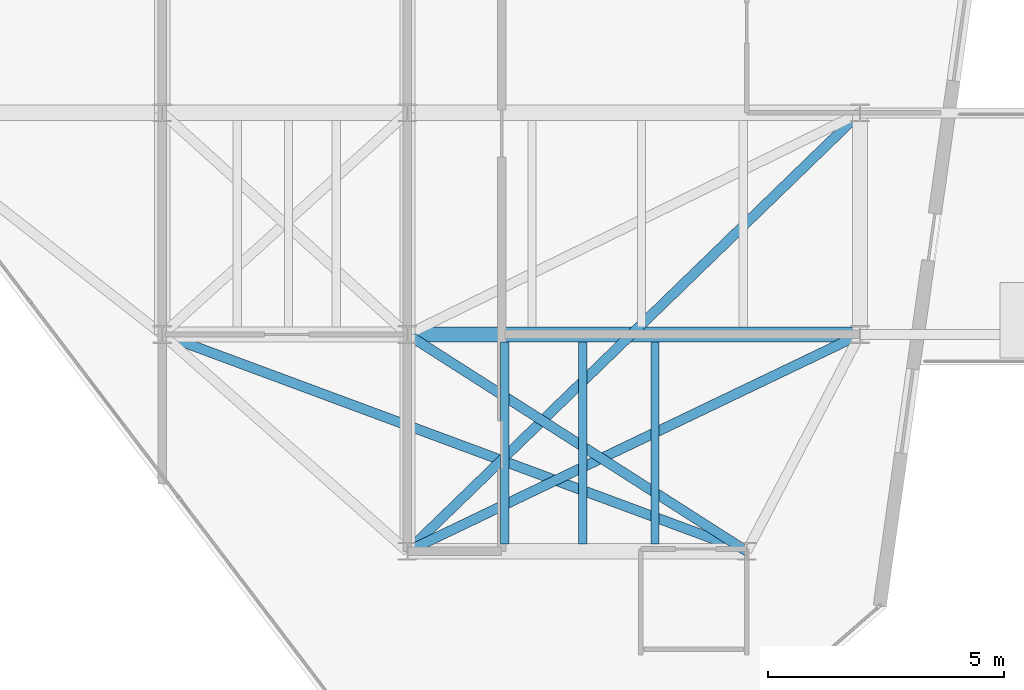
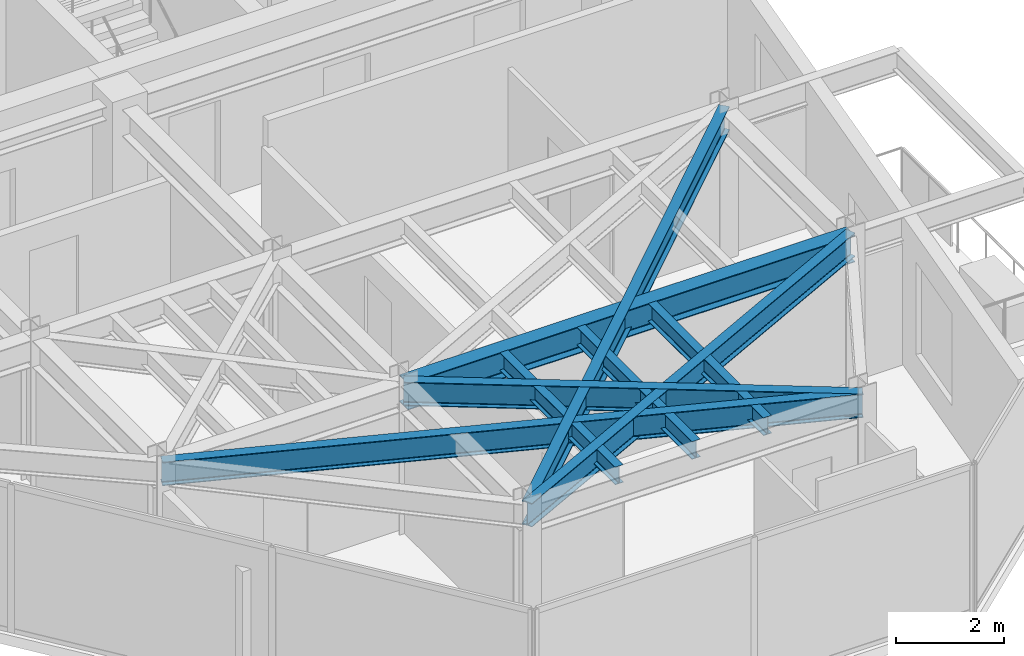
# One storey, part 7 of 17: 8 beams.
"""IFC4 building model written with IfcOpenShell, lengths in metres."""

from ifc_helpers import new_model, si_unit, direction, frame, origin, origin_2d, place, context, subcontext, project, spatial, i_section, extrude, material, material_profile, profile_set, type_object, element, save


model = new_model("IFC4")

# Units and contexts
model_context = context("Model", 3, precision=1e-05, world=origin(), true_north=direction((0.0, 1.0)))
body_context = subcontext(model_context, "Body", "Model", "MODEL_VIEW")
ifc_project = project(units=[si_unit("LENGTHUNIT", "METRE"), si_unit("AREAUNIT", "SQUARE_METRE"), si_unit("VOLUMEUNIT", "CUBIC_METRE"), si_unit("PLANEANGLEUNIT", "RADIAN"), si_unit("MASSUNIT", "GRAM", prefix="KILO")], contexts=[model_context])

# Site, building, storey
site_placement = place(None, origin())
site = spatial("IfcSite", under=ifc_project, at=site_placement, CompositionType="ELEMENT")
building_placement = place(site_placement, origin())
building = spatial("IfcBuilding", under=site, at=building_placement, Name="Kravanh Interchange Tower", CompositionType="ELEMENT")
storey_placement = place(building_placement, frame((0.0, 0.0, 285.89990234375)))
storey = spatial("IfcBuildingStorey", under=building, at=storey_placement, Name="L70", CompositionType="ELEMENT", Elevation=285.89990234375)

# Beams
ifc_material_1 = material(Name="Structural Steel S355", Category="steel")
ifc_material_profile_1 = material_profile(ifc_material_1, i_section(OverallWidth=0.323974609375, OverallDepth=0.611083984375, WebThickness=0.0126953125, FlangeThickness=0.01904296875, FilletRadius=0.02197265625, at=origin_2d()), Name="W24X104")
ifc_profile_set_1 = profile_set([ifc_material_profile_1], Name="Structural Steel S355")
beam_type_1 = type_object("IfcBeamType", Name="Floor Beam W24X104 Structural Steel S355", PredefinedType="BEAM", material=ifc_profile_set_1)
beam_1_placement = place(storey_placement, frame((56.0, 26.800048828125, 3.0595703125), z_axis=(1.0, 0.0, 0.0), x_axis=(0.0, 1.0, 0.0)))
element("IfcBeam", 1, at=beam_1_placement, inside=storey, type_object=beam_type_1, Name="L70 Primary Floor Girder 30", PredefinedType="BEAM", context=body_context, shape_type="SweptSolid", body=[
    extrude(i_section(OverallWidth=0.323974609375, OverallDepth=0.611083984375, WebThickness=0.0126953125, FlangeThickness=0.01904296875, FilletRadius=0.02197265625, at=origin_2d()), origin(), (0.0, 0.0, 1.0), 9.60009765625),
])
ifc_material_2 = material(Name="Structural Steel S355", Category="steel")
ifc_material_profile_2 = material_profile(ifc_material_2, i_section(OverallWidth=0.177978515625, OverallDepth=0.406005859375, WebThickness=0.0078125, FlangeThickness=0.0126953125, FilletRadius=0.01611328125, at=origin_2d()), Name="W16X40")
ifc_profile_set_2 = profile_set([ifc_material_profile_2], Name="Structural Steel S355")
beam_type_2 = type_object("IfcBeamType", Name="Floor Joist W16X40 Structural Steel S355", PredefinedType="JOIST", material=ifc_profile_set_2)
for number, where, z_axis, x_axis, name in (
    (2, (58.06591796875, 22.35693359375, 3.162109375), (0.0, 1.0, 0.0), (-1.0, 0.0, 0.0), "L70 Secondary Floor Joist 1"),
    (3, (59.718017578125, 22.35693359375, 3.162109375), (0.0, 1.0, 0.0), (-1.0, 0.0, 0.0), "L70 Secondary Floor Joist 2"),
    (4, (61.251953125, 22.35693359375, 3.162109375), (0.0, 1.0, 0.0), (-1.0, 0.0, 0.0), "L70 Secondary Floor Joist 3"),
):
    element("IfcBeam", number, at=place(storey_placement, frame(where, z_axis=z_axis, x_axis=x_axis)), inside=storey, type_object=beam_type_2, Name=name, PredefinedType="JOIST", context=body_context, shape_type="SweptSolid", body=[
        extrude(i_section(OverallWidth=0.177978515625, OverallDepth=0.406005859375, WebThickness=0.0078125, FlangeThickness=0.0126953125, FilletRadius=0.01611328125, at=origin_2d()), origin(), (0.0, 0.0, 1.0), 4.2861328125),
    ])
ifc_material_3 = material(Name="Structural Steel S355", Category="steel")
ifc_material_profile_3 = material_profile(ifc_material_3, i_section(OverallWidth=0.2099609375, OverallDepth=0.537109375, WebThickness=0.010986328125, FlangeThickness=0.017333984375, FilletRadius=0.02001953125, at=origin_2d()), Name="W21X68")
ifc_profile_set_3 = profile_set([ifc_material_profile_3], Name="Structural Steel S355")
beam_type_3 = type_object("IfcBeamType", Name="Floor Spandrel W21X68 Structural Steel S355", PredefinedType="SPANDREL", material=ifc_profile_set_3)
beam_2_placement = place(storey_placement, frame((65.60009765625, 31.5, 3.0966796875), z_axis=(-0.718241934329, -0.695793449072, 0.0), x_axis=(0.695793449072, -0.718241934329, 0.0)))
element("IfcBeam", 5, at=beam_2_placement, inside=storey, type_object=beam_type_3, Name="L70 Perimeter Spandrel 16", PredefinedType="SPANDREL", context=body_context, shape_type="SweptSolid", body=[
    extrude(i_section(OverallWidth=0.2099609375, OverallDepth=0.537109375, WebThickness=0.010986328125, FlangeThickness=0.017333984375, FilletRadius=0.02001953125, at=origin_2d()), origin(), (0.0, 0.0, 1.0), 13.3662109375),
])
beam_3_placement = place(storey_placement, frame((50.800048828125, 26.800048828125, 3.0966796875), z_axis=(0.937562917338, -0.347815721372, 0.0), x_axis=(0.347815721372, 0.937562917338, 0.0)))
element("IfcBeam", 6, at=beam_3_placement, inside=storey, type_object=beam_type_3, Name="L70 Perimeter Spandrel 27", PredefinedType="SPANDREL", context=body_context, shape_type="SweptSolid", body=[
    extrude(i_section(OverallWidth=0.2099609375, OverallDepth=0.537109375, WebThickness=0.010986328125, FlangeThickness=0.017333984375, FilletRadius=0.02001953125, at=origin_2d()), origin(), (0.0, 0.0, 1.0), 13.2255859375),
])
beam_4_placement = place(storey_placement, frame((56.0, 26.800048828125, 3.0966796875), z_axis=(0.842689417531, -0.53839998661, 0.0), x_axis=(0.53839998661, 0.842689417531, 0.0)))
element("IfcBeam", 7, at=beam_4_placement, inside=storey, type_object=beam_type_3, Name="L70 Perimeter Spandrel 29", PredefinedType="SPANDREL", context=body_context, shape_type="SweptSolid", body=[
    extrude(i_section(OverallWidth=0.2099609375, OverallDepth=0.537109375, WebThickness=0.010986328125, FlangeThickness=0.017333984375, FilletRadius=0.02001953125, at=origin_2d()), origin(), (0.0, 0.0, 1.0), 8.5439453125),
])
beam_5_placement = place(storey_placement, frame((65.60009765625, 26.800048828125, 3.0966796875), z_axis=(-0.901814166789, -0.432124066188, 0.0), x_axis=(0.432124066188, -0.901814166789, 0.0)))
element("IfcBeam", 8, at=beam_5_placement, inside=storey, type_object=beam_type_3, Name="L70 Perimeter Spandrel 32", PredefinedType="SPANDREL", context=body_context, shape_type="SweptSolid", body=[
    extrude(i_section(OverallWidth=0.2099609375, OverallDepth=0.537109375, WebThickness=0.010986328125, FlangeThickness=0.017333984375, FilletRadius=0.02001953125, at=origin_2d()), origin(), (0.0, 0.0, 1.0), 10.645263671875),
])

save(model, "model.ifc")
